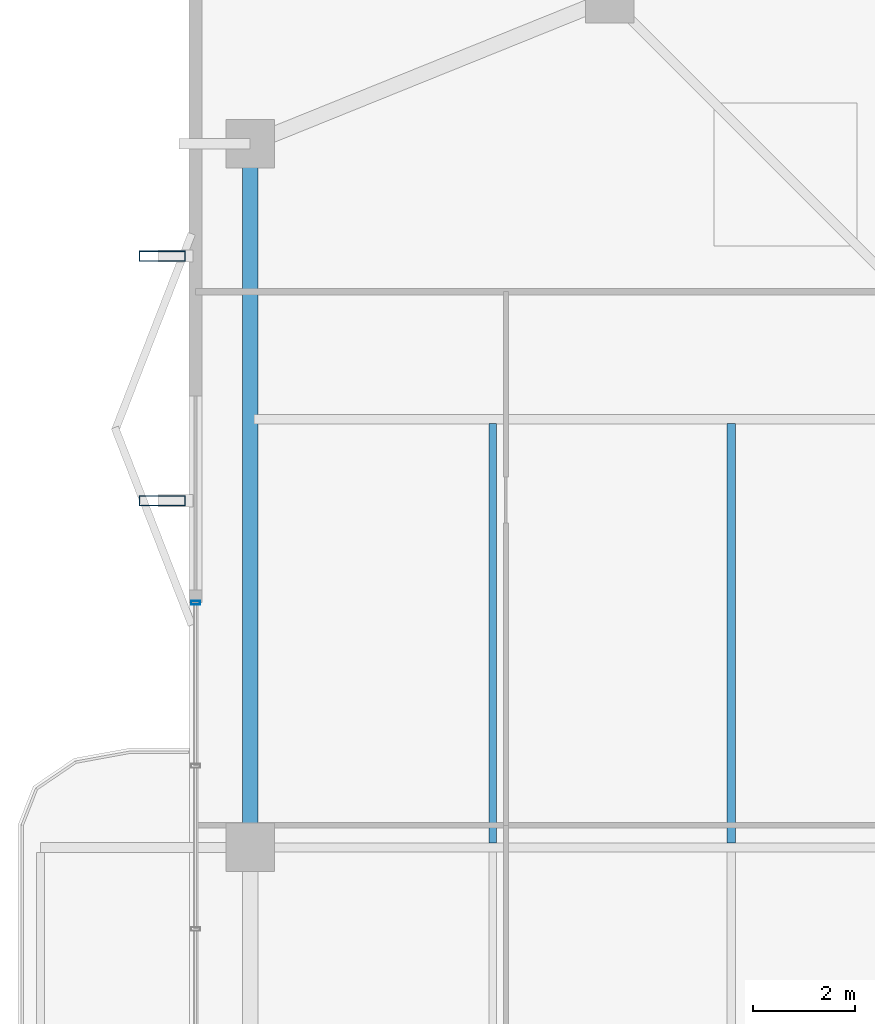
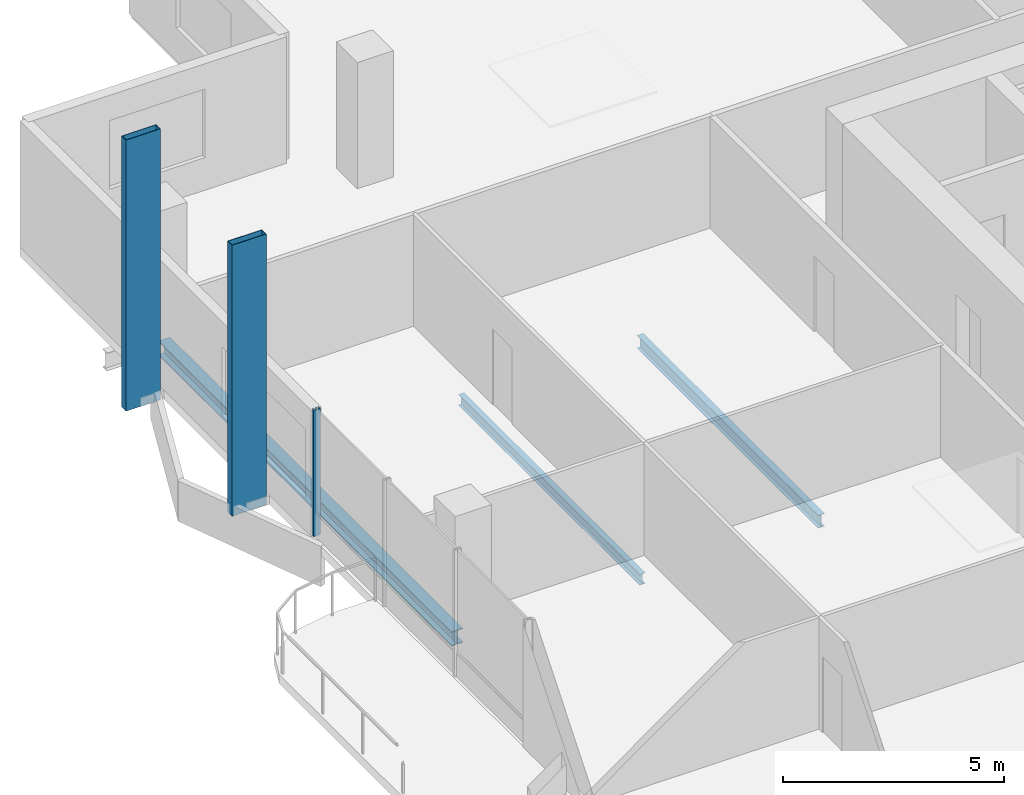
# One storey, part 11 of 25: 3 beams, 3 members, 1 element without a shape of its own.
"""IFC4 building model written with IfcOpenShell, lengths in metres."""

from ifc_helpers import new_model, si_unit, direction, frame, origin, origin_2d, place, context, subcontext, project, spatial, hollow_rectangle, i_section, extrude, material, layer, layer_set, material_profile, profile_set, type_object, element, aggregate, save


model = new_model("IFC4")

# Units and contexts
model_context = context("Model", 3, precision=1e-05, world=origin(), true_north=direction((0.0, 1.0)))
body_context = subcontext(model_context, "Body", "Model", "MODEL_VIEW")
ifc_project = project(units=[si_unit("LENGTHUNIT", "METRE"), si_unit("AREAUNIT", "SQUARE_METRE"), si_unit("VOLUMEUNIT", "CUBIC_METRE"), si_unit("PLANEANGLEUNIT", "RADIAN"), si_unit("MASSUNIT", "GRAM", prefix="KILO")], contexts=[model_context])

# Site, building, storey
site_placement = place(None, origin())
site = spatial("IfcSite", under=ifc_project, at=site_placement, CompositionType="ELEMENT")
building_placement = place(site_placement, origin())
building = spatial("IfcBuilding", under=site, at=building_placement, Name="Belovzor Exchange Tower", CompositionType="ELEMENT")
storey_placement = place(building_placement, frame((0.0, 0.0, 257.85009765625)))
storey = spatial("IfcBuildingStorey", under=building, at=storey_placement, Name="L64", CompositionType="ELEMENT", Elevation=257.85009765625)

# Beams
ifc_material_1 = material(Name="Steel S355", Category="steel")
ifc_material_profile_1 = material_profile(ifc_material_1, i_section(OverallWidth=0.169921875, OverallDepth=0.360107421875, WebThickness=0.008056640625, FlangeThickness=0.0126953125, at=origin_2d()))
ifc_profile_set_1 = profile_set([ifc_material_profile_1], Name="Steel S355")
beam_type_1 = type_object("IfcBeamType", Name="Secondary Infill Floor Joist IPE 360", PredefinedType="BEAM", material=ifc_profile_set_1)
beam_1_placement = place(storey_placement, frame((14.534912109375, 28.889892578125, -0.43017578125), z_axis=(0.0, 1.0, 0.0), x_axis=(-1.0, 0.0, 0.0)))
element("IfcBeam", 1, at=beam_1_placement, inside=storey, type_object=beam_type_1, Name="FJ-360 Secondary Infill Floor Joist IPE 360", PredefinedType="BEAM", context=body_context, shape_type="SweptSolid", body=[
    extrude(i_section(OverallWidth=0.169921875, OverallDepth=0.360107421875, WebThickness=0.008056640625, FlangeThickness=0.0126953125, at=origin_2d()), origin(), (0.0, 0.0, 1.0), 8.22021484375),
])
ifc_material_2 = material(Name="Steel S355", Category="steel")
ifc_material_profile_2 = material_profile(ifc_material_2, i_section(OverallWidth=0.14990234375, OverallDepth=0.300048828125, WebThickness=0.007080078125, FlangeThickness=0.0107421875, at=origin_2d()))
ifc_profile_set_2 = profile_set([ifc_material_profile_2], Name="Steel S355")
beam_type_2 = type_object("IfcBeamType", Name="Secondary Trim Floor Joist IPE 300", PredefinedType="BEAM", material=ifc_profile_set_2)
beam_2_placement = place(storey_placement, frame((9.85498046875, 28.889892578125, -0.400146484375), z_axis=(0.0, 1.0, 0.0), x_axis=(-1.0, 0.0, 0.0)))
element("IfcBeam", 2, at=beam_2_placement, inside=storey, type_object=beam_type_2, Name="FJ-300 Secondary Trim Floor Joist IPE 300", PredefinedType="BEAM", context=body_context, shape_type="SweptSolid", body=[
    extrude(i_section(OverallWidth=0.14990234375, OverallDepth=0.300048828125, WebThickness=0.007080078125, FlangeThickness=0.0107421875, at=origin_2d()), origin(), (0.0, 0.0, 1.0), 8.22021484375),
])

# Members
ifc_material_3 = material(Name="Extruded Architectural Terracotta on Steel S355 Carrier", Category="masonry")
ifc_material_profile_3 = material_profile(ifc_material_3, hollow_rectangle(XDim=0.199951171875, YDim=0.89990234375, WallThickness=0.011962890625, at=origin_2d()))
ifc_profile_set_3 = profile_set([ifc_material_profile_3], Name="Extruded Architectural Terracotta on Steel S355 Carrier")
member_type_1 = type_object("IfcMemberType", Name="Sweeping Terracotta Baguette Fin Assembly 950", PredefinedType="USERDEFINED", material=ifc_profile_set_3)
for number, where, z_axis, x_axis, name in (
    (3, (3.375, 35.60009765625, -0.25), (0.0, 0.0, 1.0), (0.0, 1.0, 0.0), "FIN-TC095 Terracotta Facade Fin L64 W3"),
    (4, (3.375, 40.39990234375, -0.25), (0.0, 0.0, 1.0), (0.0, 1.0, 0.0), "FIN-TC095 Terracotta Facade Fin L64 W4"),
):
    element("IfcMember", number, at=place(storey_placement, frame(where, z_axis=z_axis, x_axis=x_axis)), inside=storey, type_object=member_type_1, Name=name, ObjectType="FIN", PredefinedType="USERDEFINED", context=body_context, shape_type="SweptSolid", body=[
        extrude(hollow_rectangle(XDim=0.199951171875, YDim=0.89990234375, WallThickness=0.011962890625, at=origin_2d()), origin(), (0.0, 0.0, 1.0), 7.5),
    ])

# Curtain wall, member
ifc_material_4 = material(Name="Anodised Aluminium Framing", Category="aluminium")
ifc_layer = layer(ifc_material_4, 0.179931640625)
ifc_layer_set = layer_set([ifc_layer], Name="Anodised Aluminium Framing")
curtain_wall_type = type_object("IfcCurtainWallType", Name="Recessed Loggia Low-Iron Triple-Glazed Curtain Wall", PredefinedType="NOTDEFINED", material=ifc_layer_set)
curtain_wall_placement = place(storey_placement, origin())
curtain_wall = element("IfcCurtainWall", 5, at=curtain_wall_placement, inside=storey, type_object=curtain_wall_type, Name="CW3 Recessed Loggia Low-Iron Triple-Glazed Curtain Wall L64", PredefinedType="NOTDEFINED")
ifc_material_5 = material(Name="Steel S355", Category="steel")
ifc_material_profile_4 = material_profile(ifc_material_5, hollow_rectangle(XDim=0.074951171875, YDim=0.179931640625, WallThickness=0.0048828125, at=origin_2d()))
ifc_profile_set_4 = profile_set([ifc_material_profile_4], Name="Steel S355")
member_type_2 = type_object("IfcMemberType", Name="Thermally Broken Curtain Wall Mullion 180x75", PredefinedType="MULLION", material=ifc_profile_set_4)
member_placement = place(storey_placement, frame((4.030029296875, 33.60009765625, 0.0), z_axis=(0.0, 0.0, 1.0), x_axis=(0.0, 1.0, 0.0)))
member = element("IfcMember", 6, at=member_placement, type_object=member_type_2, Name="CW-M180 Curtain Wall Mullion 4", PredefinedType="MULLION", context=body_context, shape_type="SweptSolid", body=[
    extrude(hollow_rectangle(XDim=0.074951171875, YDim=0.179931640625, WallThickness=0.0048828125, at=origin_2d()), origin(), (0.0, 0.0, 1.0), 3.5),
])
aggregate(curtain_wall, [member])

# Beam
ifc_material_6 = material(Name="Steel S355", Category="steel")
ifc_material_profile_5 = material_profile(ifc_material_6, i_section(OverallWidth=0.300048828125, OverallDepth=0.39990234375, WebThickness=0.013427734375, FlangeThickness=0.02392578125, at=origin_2d()))
ifc_profile_set_5 = profile_set([ifc_material_profile_5], Name="Steel S355")
beam_type_3 = type_object("IfcBeamType", Name="Zone 5 Primary Girder HEB 400", PredefinedType="BEAM", material=ifc_profile_set_5)
beam_3_placement = place(storey_placement, frame((5.10009765625, 42.339111328125, -0.4501953125), z_axis=(0.0, -1.0, 0.0), x_axis=(1.0, 0.0, 0.0)))
element("IfcBeam", 7, at=beam_3_placement, inside=storey, type_object=beam_type_3, Name="FG-Z5 Zone 5 Primary Girder HEB 400", PredefinedType="BEAM", context=body_context, shape_type="SweptSolid", body=[
    extrude(i_section(OverallWidth=0.300048828125, OverallDepth=0.39990234375, WebThickness=0.013427734375, FlangeThickness=0.02392578125, at=origin_2d()), origin(), (0.0, 0.0, 1.0), 13.278076171875),
])

save(model, "model.ifc")
